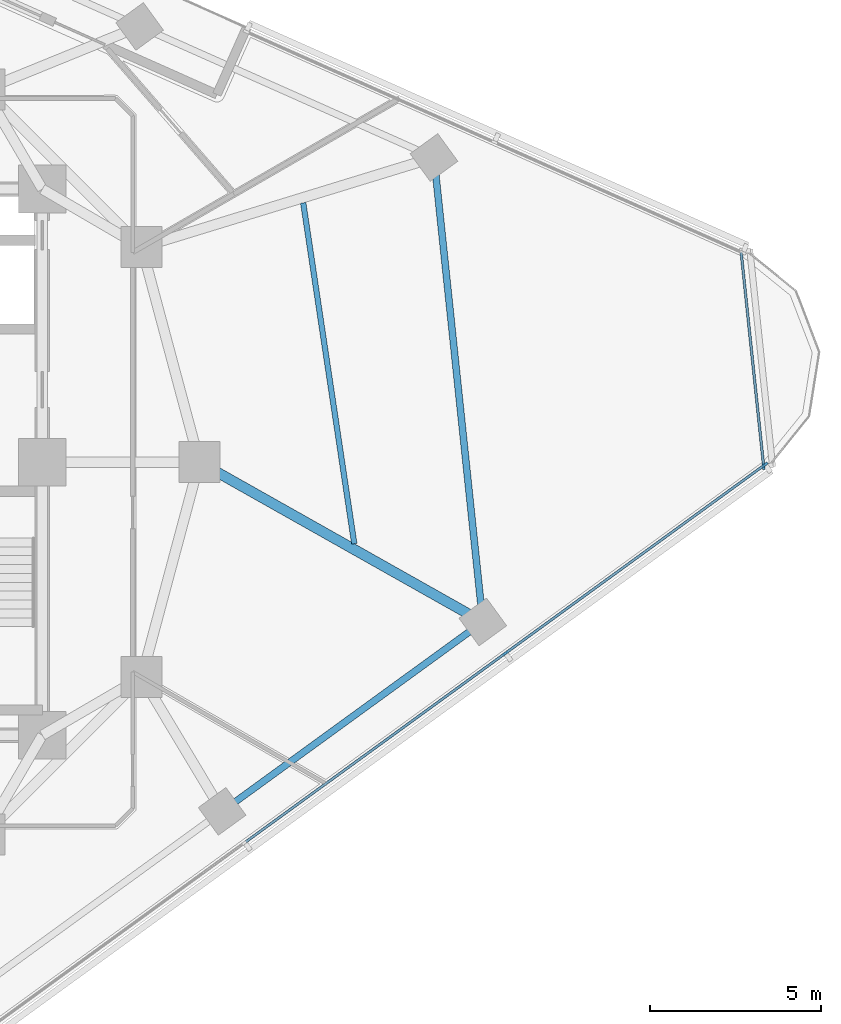
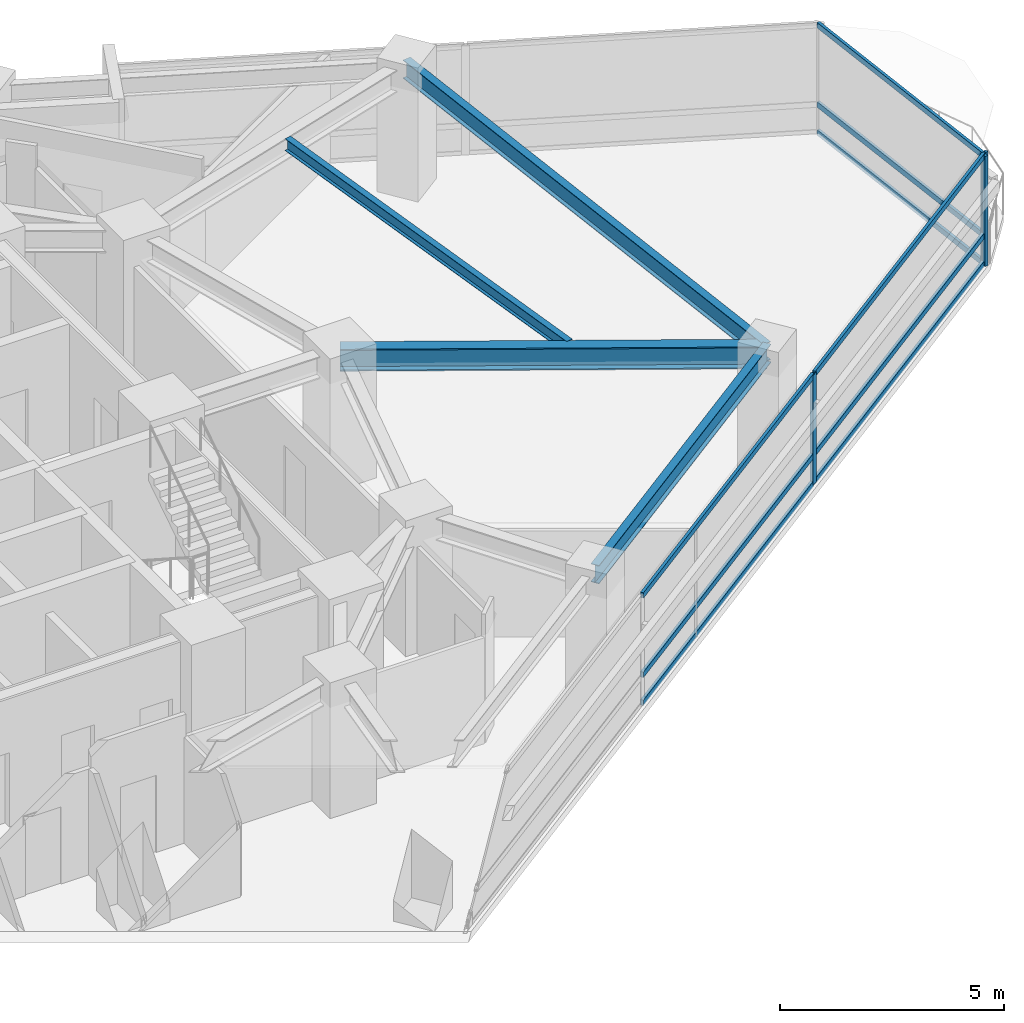
# One storey, part 4 of 14: 12 members, 4 beams, 2 elements without a shape of their own.
"""IFC4 building model written with IfcOpenShell, lengths in metres."""

from ifc_helpers import new_model, si_unit, direction, frame, origin, origin_2d, place, context, subcontext, project, spatial, rectangle, i_section, extrude, material, layer, layer_set, material_profile, profile_set, type_object, element, aggregate, save


model = new_model("IFC4")

# Units and contexts
model_context = context("Model", 3, precision=1e-05, world=origin(), true_north=direction((0.0, 1.0)))
body_context = subcontext(model_context, "Body", "Model", "MODEL_VIEW")
ifc_project = project(units=[si_unit("LENGTHUNIT", "METRE"), si_unit("AREAUNIT", "SQUARE_METRE"), si_unit("VOLUMEUNIT", "CUBIC_METRE"), si_unit("PLANEANGLEUNIT", "RADIAN"), si_unit("MASSUNIT", "GRAM", prefix="KILO")], contexts=[model_context])

# Site, building, storey
site_placement = place(None, origin())
site = spatial("IfcSite", under=ifc_project, at=site_placement, CompositionType="ELEMENT")
building_placement = place(site_placement, origin())
building = spatial("IfcBuilding", under=site, at=building_placement, Name="Terralouvre Media Tower", CompositionType="ELEMENT")
storey_placement = place(building_placement, frame((0.0, 0.0, 176.800048828125)))
storey = spatial("IfcBuildingStorey", under=building, at=storey_placement, Name="L45", CompositionType="ELEMENT", Elevation=176.800048828125)

# Beam
ifc_material_1 = material(Name="Structural steel S355J2", Category="steel")
ifc_material_profile_1 = material_profile(ifc_material_1, i_section(OverallWidth=0.159912109375, OverallDepth=0.330078125, WebThickness=0.007568359375, FlangeThickness=0.011474609375, at=origin_2d()), Name="IPE 330")
ifc_profile_set_1 = profile_set([ifc_material_profile_1], Name="Structural steel S355J2")
beam_type_1 = type_object("IfcBeamType", Name="Composite Floor Joist J-IPE330 (IPE 330)", PredefinedType="JOIST", material=ifc_profile_set_1)
beam_1_placement = place(storey_placement, frame((17.1396484375, -2.38916015625, 3.3349609375), z_axis=(-0.148174915539, 0.988961169311, 0.0), x_axis=(-0.988961169311, -0.148174915539, 0.0)))
element("IfcBeam", 1, at=beam_1_placement, inside=storey, type_object=beam_type_1, Name="L45 Framing Beam JT-L45-03", PredefinedType="JOIST", context=body_context, shape_type="SweptSolid", body=[
    extrude(i_section(OverallWidth=0.159912109375, OverallDepth=0.330078125, WebThickness=0.007568359375, FlangeThickness=0.011474609375, at=origin_2d()), origin(), (0.0, 0.0, 1.0), 10.096923828125),
])

# Curtain wall, members
ifc_material_2 = material(Name="Low-iron laminated double glazing with solar-control coating", Category="glass")
ifc_layer_1 = layer(ifc_material_2, 0.1650390625, Name="Production Studio Tower Curtain Wall CW-03")
ifc_layer_set_1 = layer_set([ifc_layer_1], Name="Low-iron laminated double glazing with solar-control coating")
curtain_wall_type_1 = type_object("IfcCurtainWallType", Name="Production Studio Tower Curtain Wall CW-03", PredefinedType="NOTDEFINED", material=ifc_layer_set_1)
curtain_wall_1_placement = place(storey_placement, origin())
curtain_wall_1 = element("IfcCurtainWall", 2, at=curtain_wall_1_placement, inside=storey, type_object=curtain_wall_type_1, Name="L45 Facade Curtain Wall F0", PredefinedType="NOTDEFINED")
ifc_material_3 = material(Name="Anodised extruded aluminium 6063-T6", Category="aluminium")
ifc_material_profile_2 = material_profile(ifc_material_3, rectangle(XDim=0.074951171875, YDim=0.14990234375, at=origin_2d()), Name="ALU 75x150")
ifc_profile_set_2 = profile_set([ifc_material_profile_2], Name="Anodised extruded aluminium 6063-T6")
member_type_1 = type_object("IfcMemberType", Name="Curtain-Wall Horizontal Transom TR-150", PredefinedType="USERDEFINED", material=ifc_profile_set_2)
member_1_placement = place(storey_placement, frame((13.9619140625, -11.123046875, 0.037353515625), z_axis=(0.809023450607, 0.587776365948, 0.0), x_axis=(-0.587776365948, 0.809023450607, 0.0)))
member_1 = element("IfcMember", 3, at=member_1_placement, type_object=member_type_1, Name="CW-03 transom 4.1", ObjectType="TRANSOM", PredefinedType="USERDEFINED", context=body_context, shape_type="SweptSolid", body=[
    extrude(rectangle(XDim=0.074951171875, YDim=0.14990234375, at=origin_2d()), origin(), (0.0, 0.0, 1.0), 9.365234375),
])
member_2_placement = place(storey_placement, frame((13.9619140625, -11.123046875, 0.800048828125), z_axis=(0.809023450607, 0.587776365948, 0.0), x_axis=(-0.587776365948, 0.809023450607, 0.0)))
member_2 = element("IfcMember", 4, at=member_2_placement, type_object=member_type_1, Name="CW-03 transom 4.2", ObjectType="TRANSOM", PredefinedType="USERDEFINED", context=body_context, shape_type="SweptSolid", body=[
    extrude(rectangle(XDim=0.074951171875, YDim=0.14990234375, at=origin_2d()), origin(), (0.0, 0.0, 1.0), 9.365234375),
])
member_3_placement = place(storey_placement, frame((13.9619140625, -11.123046875, 2.96240234375), z_axis=(0.809023450607, 0.587776365948, 0.0), x_axis=(-0.587776365948, 0.809023450607, 0.0)))
member_3 = element("IfcMember", 5, at=member_3_placement, type_object=member_type_1, Name="CW-03 transom 4.3", ObjectType="TRANSOM", PredefinedType="USERDEFINED", context=body_context, shape_type="SweptSolid", body=[
    extrude(rectangle(XDim=0.074951171875, YDim=0.14990234375, at=origin_2d()), origin(), (0.0, 0.0, 1.0), 9.365234375),
])
member_4_placement = place(storey_placement, frame((21.59912109375, -5.574462890625, 0.037353515625), z_axis=(0.809013297727, 0.587790340259, 0.0), x_axis=(-0.587790340259, 0.809013297727, 0.0)))
member_4 = element("IfcMember", 6, at=member_4_placement, type_object=member_type_1, Name="CW-03 transom 5.1", ObjectType="TRANSOM", PredefinedType="USERDEFINED", context=body_context, shape_type="SweptSolid", body=[
    extrude(rectangle(XDim=0.074951171875, YDim=0.14990234375, at=origin_2d()), origin(), (0.0, 0.0, 1.0), 9.32763671875),
])
member_5_placement = place(storey_placement, frame((21.59912109375, -5.574462890625, 0.800048828125), z_axis=(0.809013297727, 0.587790340259, 0.0), x_axis=(-0.587790340259, 0.809013297727, 0.0)))
member_5 = element("IfcMember", 7, at=member_5_placement, type_object=member_type_1, Name="CW-03 transom 5.2", ObjectType="TRANSOM", PredefinedType="USERDEFINED", context=body_context, shape_type="SweptSolid", body=[
    extrude(rectangle(XDim=0.074951171875, YDim=0.14990234375, at=origin_2d()), origin(), (0.0, 0.0, 1.0), 9.32763671875),
])
member_6_placement = place(storey_placement, frame((21.59912109375, -5.574462890625, 2.96240234375), z_axis=(0.809013297727, 0.587790340259, 0.0), x_axis=(-0.587790340259, 0.809013297727, 0.0)))
member_6 = element("IfcMember", 8, at=member_6_placement, type_object=member_type_1, Name="CW-03 transom 5.3", ObjectType="TRANSOM", PredefinedType="USERDEFINED", context=body_context, shape_type="SweptSolid", body=[
    extrude(rectangle(XDim=0.074951171875, YDim=0.14990234375, at=origin_2d()), origin(), (0.0, 0.0, 1.0), 9.32763671875),
])

ifc_material_4 = material(Name="Low-iron laminated double glazing with solar-control coating", Category="glass")
ifc_layer_2 = layer(ifc_material_4, 0.1650390625, Name="Rounded Wind-Corner Curved Glazing CW-04")
ifc_layer_set_2 = layer_set([ifc_layer_2], Name="Low-iron laminated double glazing with solar-control coating")
curtain_wall_type_2 = type_object("IfcCurtainWallType", Name="Rounded Wind-Corner Curved Glazing CW-04", PredefinedType="NOTDEFINED", material=ifc_layer_set_2)
curtain_wall_2_placement = place(storey_placement, origin())
curtain_wall_2 = element("IfcCurtainWall", 9, at=curtain_wall_2_placement, inside=storey, type_object=curtain_wall_type_2, Name="L45 Rounded Wind-Corner Curtain Wall C1", PredefinedType="NOTDEFINED")
member_7_placement = place(storey_placement, frame((29.12939453125, -0.0849609375, 0.037353515625), z_axis=(-0.104542643073, 0.994520404908, 0.0), x_axis=(-0.994520404908, -0.104542643073, 0.0)))
member_7 = element("IfcMember", 10, at=member_7_placement, type_object=member_type_1, Name="CW-04 transom 1.1", ObjectType="TRANSOM", PredefinedType="USERDEFINED", context=body_context, shape_type="SweptSolid", body=[
    extrude(rectangle(XDim=0.074951171875, YDim=0.14990234375, at=origin_2d()), origin(), (0.0, 0.0, 1.0), 6.258544921875),
])
member_8_placement = place(storey_placement, frame((29.12939453125, -0.0849609375, 0.800048828125), z_axis=(-0.104542643073, 0.994520404908, 0.0), x_axis=(-0.994520404908, -0.104542643073, 0.0)))
member_8 = element("IfcMember", 11, at=member_8_placement, type_object=member_type_1, Name="CW-04 transom 1.2", ObjectType="TRANSOM", PredefinedType="USERDEFINED", context=body_context, shape_type="SweptSolid", body=[
    extrude(rectangle(XDim=0.074951171875, YDim=0.14990234375, at=origin_2d()), origin(), (0.0, 0.0, 1.0), 6.258544921875),
])
member_9_placement = place(storey_placement, frame((29.12939453125, -0.0849609375, 2.96240234375), z_axis=(-0.104542643073, 0.994520404908, 0.0), x_axis=(-0.994520404908, -0.104542643073, 0.0)))
member_9 = element("IfcMember", 12, at=member_9_placement, type_object=member_type_1, Name="CW-04 transom 1.3", ObjectType="TRANSOM", PredefinedType="USERDEFINED", context=body_context, shape_type="SweptSolid", body=[
    extrude(rectangle(XDim=0.074951171875, YDim=0.14990234375, at=origin_2d()), origin(), (0.0, 0.0, 1.0), 6.258544921875),
])

# Member
ifc_material_5 = material(Name="Anodised extruded aluminium 6063-T6", Category="aluminium")
ifc_material_profile_3 = material_profile(ifc_material_5, rectangle(XDim=0.074951171875, YDim=0.179931640625, at=origin_2d()), Name="ALU 75x180")
ifc_profile_set_3 = profile_set([ifc_material_profile_3], Name="Anodised extruded aluminium 6063-T6")
member_type_2 = type_object("IfcMemberType", Name="Curtain-Wall Vertical Mullion ML-180", PredefinedType="MULLION", material=ifc_profile_set_3)
member_10_placement = place(storey_placement, frame((21.56884765625, -5.596435546875, 0.0), z_axis=(0.0, 0.0, 1.0), x_axis=(-0.587785358263, 0.809016917383, 0.0)))
member_10 = element("IfcMember", 13, at=member_10_placement, type_object=member_type_2, Name="CW-03 mullion 5", PredefinedType="MULLION", context=body_context, shape_type="SweptSolid", body=[
    extrude(rectangle(XDim=0.074951171875, YDim=0.179931640625, at=origin_2d()), origin(), (0.0, 0.0, 1.0), 3.0),
])

member_11_placement = place(storey_placement, frame((29.175537109375, -0.06982421875, 0.0), z_axis=(0.0, 0.0, 1.0), x_axis=(-0.587785358263, 0.809016917383, 0.0)))
member_11 = element("IfcMember", 14, at=member_11_placement, type_object=member_type_2, Name="CW-03 mullion 6", PredefinedType="MULLION", context=body_context, shape_type="SweptSolid", body=[
    extrude(rectangle(XDim=0.074951171875, YDim=0.179931640625, at=origin_2d()), origin(), (0.0, 0.0, 1.0), 3.0),
])

aggregate(curtain_wall_1, [member_10, member_11, member_1, member_2, member_3, member_4, member_5, member_6])

member_12_placement = place(storey_placement, frame((29.13330078125, -0.122314453125, 0.0), z_axis=(0.0, 0.0, 1.0), x_axis=(-0.994521891172, -0.10452850319, 0.0)))
member_12 = element("IfcMember", 15, at=member_12_placement, type_object=member_type_2, Name="CW-04 mullion 1", PredefinedType="MULLION", context=body_context, shape_type="SweptSolid", body=[
    extrude(rectangle(XDim=0.074951171875, YDim=0.179931640625, at=origin_2d()), origin(), (0.0, 0.0, 1.0), 3.0),
])

aggregate(curtain_wall_2, [member_12, member_7, member_8, member_9])

# Beams
ifc_material_6 = material(Name="Structural steel S355J2", Category="steel")
ifc_material_profile_4 = material_profile(ifc_material_6, i_section(OverallWidth=0.199951171875, OverallDepth=0.5, WebThickness=0.01025390625, FlangeThickness=0.01611328125, at=origin_2d()), Name="IPE 500")
ifc_profile_set_4 = profile_set([ifc_material_profile_4], Name="Structural steel S355J2")
beam_type_2 = type_object("IfcBeamType", Name="Perimeter Spandrel Beam SPB-500 (IPE 500)", PredefinedType="SPANDREL", material=ifc_profile_set_4)
beam_2_placement = place(storey_placement, frame((13.267578125, -10.23095703125, 3.25), z_axis=(0.809016709277, 0.587785644696, 0.0), x_axis=(-0.587785644696, 0.809016709277, 0.0)))
element("IfcBeam", 16, at=beam_2_placement, inside=storey, type_object=beam_type_2, Name="L45 Framing Beam BM-L45-PR05", PredefinedType="SPANDREL", context=body_context, shape_type="SweptSolid", body=[
    extrude(i_section(OverallWidth=0.199951171875, OverallDepth=0.5, WebThickness=0.01025390625, FlangeThickness=0.01611328125, at=origin_2d()), origin(), (0.0, 0.0, 1.0), 9.439697265625),
])
beam_3_placement = place(storey_placement, frame((20.904541015625, -4.682373046875, 3.25), z_axis=(-0.104517607269, 0.99452303632, 0.0), x_axis=(-0.99452303632, -0.104517607269, 0.0)))
element("IfcBeam", 17, at=beam_3_placement, inside=storey, type_object=beam_type_2, Name="L45 Framing Beam BM-L45-PR06", PredefinedType="SPANDREL", context=body_context, shape_type="SweptSolid", body=[
    extrude(i_section(OverallWidth=0.199951171875, OverallDepth=0.5, WebThickness=0.01025390625, FlangeThickness=0.01611328125, at=origin_2d()), origin(), (0.0, 0.0, 1.0), 13.68359375),
])
ifc_material_7 = material(Name="Structural steel S460M", Category="steel")
ifc_material_profile_5 = material_profile(ifc_material_7, i_section(OverallWidth=0.300048828125, OverallDepth=0.60009765625, WebThickness=0.015380859375, FlangeThickness=0.030029296875, at=origin_2d()), Name="HEB 600")
ifc_profile_set_5 = profile_set([ifc_material_profile_5], Name="Structural steel S460M")
beam_type_3 = type_object("IfcBeamType", Name="Primary Floor Girder B-HEB600 (HEB 600)", PredefinedType="BEAM", material=ifc_profile_set_5)
beam_4_placement = place(storey_placement, frame((12.60009765625, 0.0, 3.199951171875), z_axis=(0.871076516642, -0.491147332432, 0.0), x_axis=(0.491147332432, 0.871076516642, 0.0)))
element("IfcBeam", 18, at=beam_4_placement, inside=storey, type_object=beam_type_3, Name="L45 Framing Beam BM-L45-RD06", PredefinedType="BEAM", context=body_context, shape_type="SweptSolid", body=[
    extrude(i_section(OverallWidth=0.300048828125, OverallDepth=0.60009765625, WebThickness=0.015380859375, FlangeThickness=0.030029296875, at=origin_2d()), origin(), (0.0, 0.0, 1.0), 9.533447265625),
])

save(model, "model.ifc")
